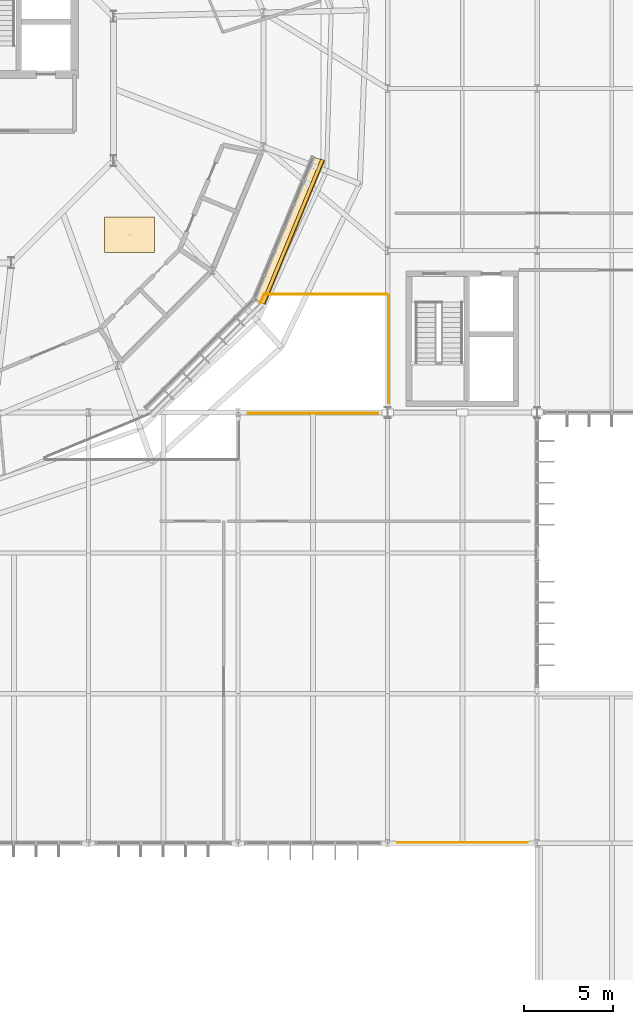
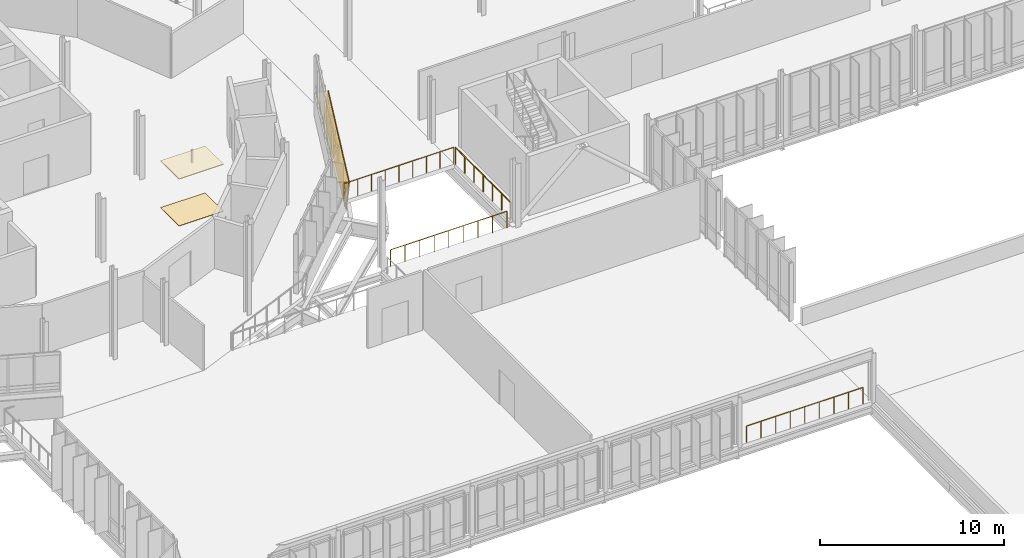
# One storey, part 98 of 107: 16 railings, 4 coverings.
"""IFC4 building model written with IfcOpenShell, lengths in metres."""

import ifcopenshell
import ifcopenshell.guid

model = None  # the IFC model being written
_history = None  # IfcOwnerHistory: only IFC2X3 demands one
_inside = {}  # id of a spatial element -> (the spatial element, [elements in it])
_under = {}  # id of a project, library or spatial element -> (it, [spatial elements below it])
_declared = {}  # id of a project -> (the project, [libraries it declares])
_typed = {}  # id of a type object -> (the type object, [elements of that type])
_made_of = {}  # id of a material, layer set ... -> (it, [elements and type objects made of it])


def new_model(schema):
    """Start an empty IFC model of exactly this schema.

    Asked for "IFC4X3", IfcOpenShell would pick the latest addendum, in which some entities
    have other attributes; the version numbers below select the first issue.
    IFC2X3 requires an IfcOwnerHistory on every rooted entity: one is made here for all.
    """
    global model, _history
    if schema == "IFC4X3":
        model = ifcopenshell.file(schema_version=(4, 3, 0, 0))
    else:
        model = ifcopenshell.file(schema=schema)
    _inside.clear()
    _under.clear()
    _declared.clear()
    _typed.clear()
    _made_of.clear()
    _history = None
    if model.schema == "IFC2X3":
        org = make("IfcOrganization", Name="unknown")
        user = make(
            "IfcPersonAndOrganization",
            ThePerson=make("IfcPerson", FamilyName="unknown"),
            TheOrganization=org,
        )
        app = make(
            "IfcApplication",
            ApplicationDeveloper=org,
            Version="unknown",
            ApplicationFullName="unknown",
            ApplicationIdentifier="unknown",
        )
        _history = make(
            "IfcOwnerHistory",
            OwningUser=user,
            OwningApplication=app,
            ChangeAction="ADDED",
            CreationDate=0,
        )
    return model


def make(cls, **values):
    """One entity of the class cls with the attributes given. An attribute that is None is left unset."""
    return model.create_entity(
        cls, **{name: value for name, value in values.items() if value is not None}
    )


def rooted(cls, **values):
    """An entity with a GlobalId (a new one), such as an element, a storey or a relation."""
    return make(cls, GlobalId=ifcopenshell.guid.new(), OwnerHistory=_history, **values)


def si_unit(unit_type, name, prefix=None):
    """IfcSIUnit, for example si_unit("LENGTHUNIT", "METRE", prefix="MILLI")."""
    return make("IfcSIUnit", UnitType=unit_type, Prefix=prefix, Name=name)


def derived_unit(unit_type, elements):
    """IfcDerivedUnit: a product of units, each with its exponent."""
    return make(
        "IfcDerivedUnit",
        Elements=[
            make("IfcDerivedUnitElement", Unit=unit, Exponent=power)
            for unit, power in elements
        ],
        UnitType=unit_type,
    )


def assignment(units):
    """IfcUnitAssignment: the units of a project."""
    return None if units is None else make("IfcUnitAssignment", Units=units)


def point(xyz):
    """IfcCartesianPoint."""
    return None if xyz is None else make("IfcCartesianPoint", Coordinates=xyz)


def direction(xyz):
    """IfcDirection."""
    return None if xyz is None else make("IfcDirection", DirectionRatios=xyz)


def frame(location, z_axis=None, x_axis=None):
    """IfcAxis2Placement3D, a coordinate frame: its origin and axes. An axis left out is left unset."""
    return make(
        "IfcAxis2Placement3D",
        Location=point(location),
        Axis=direction(z_axis),
        RefDirection=direction(x_axis),
    )


def frame_2d(location, x_axis=None):
    """IfcAxis2Placement2D, a coordinate frame in the plane: its origin and x axis."""
    return make(
        "IfcAxis2Placement2D", Location=point(location), RefDirection=direction(x_axis)
    )


def origin():
    """The frame at (0, 0, 0) with its axes left unset."""
    return frame((0.0, 0.0, 0.0))


def origin_2d():
    """The frame at (0, 0) in the plane with its x axis left unset."""
    return frame_2d((0.0, 0.0))


def place(relative_to, where):
    """IfcLocalPlacement: puts the frame where relative to a parent placement (None: the world)."""
    return make(
        "IfcLocalPlacement", PlacementRelTo=relative_to, RelativePlacement=where
    )


def context(
    kind, dimensions, precision=None, world=None, true_north=None, identifier=None
):
    """IfcGeometricRepresentationContext, for example the 3D "Model" context."""
    return make(
        "IfcGeometricRepresentationContext",
        ContextIdentifier=identifier,
        ContextType=kind,
        CoordinateSpaceDimension=dimensions,
        Precision=precision,
        WorldCoordinateSystem=world,
        TrueNorth=true_north,
    )


def subcontext(parent, identifier, kind, view, scale=None):
    """IfcGeometricRepresentationSubContext, for example "Body" below "Model"."""
    return make(
        "IfcGeometricRepresentationSubContext",
        ContextIdentifier=identifier,
        ContextType=kind,
        ParentContext=parent,
        TargetScale=scale,
        TargetView=view,
    )


def project(units=None, contexts=None):
    """IfcProject with its units and contexts."""
    return rooted(
        "IfcProject",
        Name="project",
        RepresentationContexts=contexts,
        UnitsInContext=assignment(units),
    )


def spatial(cls, under=None, at=None, **own):
    """A site, building, storey or space (cls), placed at a placement, below another one or the project."""
    s = rooted(cls, ObjectPlacement=at, **own)
    if under is not None:
        _under.setdefault(under.id(), (under, []))[1].append(s)
    return s


def polyline(points):
    """IfcPolyline through the points."""
    return make("IfcPolyline", Points=[point(p) for p in points])


def profile(cls, at=None, kind="AREA", **sizes):
    """A parametric profile (cls). Its sizes go by their IFC names, for example OverallWidth=200.0."""
    return make(cls, ProfileType=kind, Position=at, **sizes)


def circle(**sizes):
    """IfcCircleProfileDef."""
    return profile("IfcCircleProfileDef", **sizes)


def outline(outer, holes=None, kind="AREA"):
    """IfcArbitraryClosedProfileDef: a profile drawn as a closed curve; with holes, ...WithVoids."""
    if holes is None:
        return make("IfcArbitraryClosedProfileDef", ProfileType=kind, OuterCurve=outer)
    return make(
        "IfcArbitraryProfileDefWithVoids",
        ProfileType=kind,
        OuterCurve=outer,
        InnerCurves=holes,
    )


def extrude(swept, where, along, depth):
    """IfcExtrudedAreaSolid: the profile swept, set in the frame where, extruded along a direction by depth."""
    return make(
        "IfcExtrudedAreaSolid",
        SweptArea=swept,
        Position=where,
        ExtrudedDirection=direction(along),
        Depth=depth,
    )


def shape(context_of_items, identifier, shape_type, items):
    """IfcShapeRepresentation: the items that make up one representation, for example the "Body"."""
    return make(
        "IfcShapeRepresentation",
        ContextOfItems=context_of_items,
        RepresentationIdentifier=identifier,
        RepresentationType=shape_type,
        Items=items,
    )


def material(Name=None, Category=None):
    """IfcMaterial."""
    return make("IfcMaterial", Name=Name, Category=Category)


def layer(
    of_material, thickness, ventilated=None, Name=None, Category=None, Priority=None
):
    """IfcMaterialLayer: one layer of a wall or slab, of a material (None: an air gap)."""
    return make(
        "IfcMaterialLayer",
        Material=of_material,
        LayerThickness=thickness,
        IsVentilated=ventilated,
        Name=Name,
        Category=Category,
        Priority=Priority,
    )


def layer_set(layers, Name=None):
    """IfcMaterialLayerSet."""
    return make("IfcMaterialLayerSet", MaterialLayers=layers, LayerSetName=Name)


def made_of(thing, what):
    """Note that an element or type object is made of a material, layer set ...; save() writes the relation."""
    if what is not None:
        _made_of.setdefault(what.id(), (what, []))[1].append(thing)
    return thing


def type_object(cls, material=None, **own):
    """A type object (cls), such as IfcWallType, which elements share."""
    return made_of(rooted(cls, **own), material)


def element(
    cls,
    number,
    at=None,
    inside=None,
    cuts=None,
    type_object=None,
    material=None,
    context=None,
    identifier="Body",
    shape_type=None,
    held_by="IfcProductDefinitionShape",
    body=None,
    shapes=None,
    **own,
):
    """One element of the class cls, such as IfcWall. Its Tag is "e" and its number.

    at: its placement. inside: the storey or other place that contains it. cuts: it is an
    opening in that element (IfcRelVoidsElement). A single representation is given by context,
    identifier, shape_type and body (its items); several are given by shapes. held_by: the class
    of the entity that holds the representations. save() writes the other relations.
    """
    e = rooted(cls, Tag="e%d" % number, ObjectPlacement=at, **own)
    if body is not None:
        shapes = [shape(context, identifier, shape_type, body)]
    if shapes is not None:
        e.Representation = make(held_by, Representations=shapes)
    if inside is not None:
        _inside.setdefault(inside.id(), (inside, []))[1].append(e)
    if cuts is not None:
        rooted(
            "IfcRelVoidsElement", RelatingBuildingElement=cuts, RelatedOpeningElement=e
        )
    if type_object is not None:
        _typed.setdefault(type_object.id(), (type_object, []))[1].append(e)
    return made_of(e, material)


def aggregate(whole, parts):
    """IfcRelAggregates: a whole, such as a stair, and the parts it consists of."""
    return rooted("IfcRelAggregates", RelatingObject=whole, RelatedObjects=parts)


def save(model, path):
    """Write the relations noted so far, then the file.

    IfcRelAggregates (storeys below a building ...), IfcRelContainedInSpatialStructure (elements
    in a storey), IfcRelDefinesByType, IfcRelAssociatesMaterial and IfcRelDeclares: one each for
    every whole, place, type object, material and project.
    """
    for whole, parts in _under.values():
        aggregate(whole, parts)
    for where, things in _inside.values():
        rooted(
            "IfcRelContainedInSpatialStructure",
            RelatedElements=things,
            RelatingStructure=where,
        )
    for kind, things in _typed.values():
        rooted("IfcRelDefinesByType", RelatedObjects=things, RelatingType=kind)
    for what, things in _made_of.values():
        rooted("IfcRelAssociatesMaterial", RelatedObjects=things, RelatingMaterial=what)
    for by, libraries in _declared.values():
        rooted("IfcRelDeclares", RelatingContext=by, RelatedDefinitions=libraries)
    model.write(path)


model = new_model("IFC4")

# Units and contexts
model_context = context("Model", 3, precision=1e-05, world=origin(), true_north=direction((0.0, 1.0)))
body_context = subcontext(model_context, "Body", "Model", "MODEL_VIEW")
ifc_project = project(units=[si_unit("LENGTHUNIT", "METRE"), si_unit("AREAUNIT", "SQUARE_METRE"), si_unit("VOLUMEUNIT", "CUBIC_METRE"), si_unit("PLANEANGLEUNIT", "RADIAN"), si_unit("MASSUNIT", "GRAM", prefix="KILO"), derived_unit("THERMALTRANSMITTANCEUNIT", [(si_unit("MASSUNIT", "GRAM", prefix="KILO"), 1), (si_unit("TIMEUNIT", "SECOND"), -3), (si_unit("THERMODYNAMICTEMPERATUREUNIT", "KELVIN"), -1)])], contexts=[model_context])

# Site, building, storey
site_placement = place(None, origin())
site = spatial("IfcSite", under=ifc_project, at=site_placement, CompositionType="ELEMENT")
building_placement = place(site_placement, origin())
building = spatial("IfcBuilding", under=site, at=building_placement, Name="Makaiwela Harbour Ferry Terminal", CompositionType="ELEMENT")
storey_placement = place(building_placement, frame((0.0, 0.0, 9.60009765625)))
storey = spatial("IfcBuildingStorey", under=building, at=storey_placement, Name="L02", CompositionType="ELEMENT", Elevation=9.60009765625)

# Coverings
ifc_material_1 = material(Name="White glazed marine ceramic rainscreen tile", Category="masonry")
ifc_layer_1 = layer(ifc_material_1, 0.054931640625)
ifc_layer_set_1 = layer_set([ifc_layer_1], Name="White glazed marine ceramic rainscreen tile")
covering_type_1 = type_object("IfcCoveringType", Name="ENV-CLD-CERAMIC", PredefinedType="CLADDING", material=ifc_layer_set_1)
covering_1_placement = place(storey_placement, frame((55.896240234375, 55.56396484375, -0.239990234375), z_axis=(-0.918367954465, 0.380387945776, 0.109111460991), x_axis=(0.382672684916, 0.923883984177, 0.0)))
element("IfcCovering", 1, at=covering_1_placement, inside=storey, type_object=covering_type_1, Name="Ceramic Spandrel Facet CLD-0063", PredefinedType="CLADDING", context=body_context, shape_type="SweptSolid", body=[
    extrude(outline(polyline([(0.0, 0.0), (8.757662857778147, 0.0), (8.757613269269331, -1.770580981784045), (-4.958850881633947e-05, -1.7705809817840452), (0.0, 0.0)])), origin(), (0.0, 0.0, -1.0), 0.054931640625),
])
covering_2_placement = place(storey_placement, frame((0.0, 0.0, 1.47998046875)))
element("IfcCovering", 2, at=covering_2_placement, inside=storey, type_object=covering_type_1, Name="Ceramic Ring Sill Cap CLD-0064", PredefinedType="CLADDING", context=body_context, shape_type="SweptSolid", body=[
    extrude(outline(polyline([(56.07470703125, 55.489990234375), (59.426025390625, 63.5810546875), (58.81201171875, 63.751220703125), (55.52001953125, 55.803955078125), (56.07470703125, 55.489990234375)])), origin(), (0.0, 0.0, 1.0), 0.054931640625),
])
ifc_material_2 = material(Name="Thermally modified Accoya timber acoustic slat ceiling", Category="wood")
ifc_layer_2 = layer(ifc_material_2, 0.0400390625)
ifc_layer_set_2 = layer_set([ifc_layer_2], Name="Thermally modified Accoya timber acoustic slat ceiling")
covering_type_2 = type_object("IfcCoveringType", Name="INT-COV-CEIL", PredefinedType="CEILING", material=ifc_layer_set_2)
covering_3_placement = place(storey_placement, frame((0.0, 0.0, 3.099853515625)))
element("IfcCovering", 3, at=covering_3_placement, inside=storey, type_object=covering_type_2, Name="Acoustic Timber Ceiling CLG-048", PredefinedType="CEILING", context=body_context, shape_type="SweptSolid", body=[
    extrude(outline(polyline([(47.097900390625, 58.385498046875), (49.89794921875, 58.385498046875), (49.89794921875, 60.385498046875), (47.097900390625, 60.385498046875), (47.097900390625, 58.385498046875)])), origin(), (0.0, 0.0, 1.0), 0.0400390625),
])
ifc_material_3 = material(Name="Honed coral-aggregate epoxy terrazzo flooring", Category="concrete")
ifc_layer_3 = layer(ifc_material_3, 0.02490234375)
ifc_layer_set_3 = layer_set([ifc_layer_3], Name="Honed coral-aggregate epoxy terrazzo flooring")
covering_type_3 = type_object("IfcCoveringType", Name="INT-COV-FLR", PredefinedType="FLOORING", material=ifc_layer_set_3)
covering_4_placement = place(storey_placement, origin())
element("IfcCovering", 4, at=covering_4_placement, inside=storey, type_object=covering_type_3, Name="Terrazzo Flooring FLG-048", PredefinedType="FLOORING", context=body_context, shape_type="SweptSolid", body=[
    extrude(outline(polyline([(47.097900390625, 58.385498046875), (49.89794921875, 58.385498046875), (49.89794921875, 60.385498046875), (47.097900390625, 60.385498046875), (47.097900390625, 58.385498046875)])), origin(), (0.0, 0.0, 1.0), 0.02490234375),
])

# Railings
ifc_material_4 = material(Name="Marine grade 316L brushed stainless steel", Category="steel")
railing_type = type_object("IfcRailingType", Name="INT-RL-GRD110", PredefinedType="GUARDRAIL", material=ifc_material_4)
for number, where, name in (
    (5, (70.852294921875, 25.2451171875, 0.0), "Deck edge guardrail RL-0561"),
    (6, (69.026123046875, 25.2451171875, 0.0), "Deck edge guardrail RL-0562"),
    (7, (67.199951171875, 25.2451171875, 0.0), "Deck edge guardrail RL-0563"),
):
    element("IfcRailing", number, at=place(storey_placement, frame(where)), inside=storey, type_object=railing_type, Name=name, PredefinedType="GUARDRAIL", context=body_context, shape_type="SweptSolid", body=[
        extrude(circle(Radius=0.02392578125, at=origin_2d()), frame((0.0, 0.0, 1.09619140625), z_axis=(-1.0, 0.0, 0.0), x_axis=(0.0, -1.0, 0.0)), (0.0, 0.0, 1.0), 1.826171875),
        extrude(circle(Radius=0.02099609375, at=origin_2d()), origin(), (0.0, 0.0, 1.0), 1.072021484375),
        extrude(circle(Radius=0.02099609375, at=origin_2d()), frame((-0.9130859375, 0.0, 0.0)), (0.0, 0.0, 1.0), 1.072021484375),
        extrude(circle(Radius=0.02099609375, at=origin_2d()), frame((-1.826171875, 0.0, 0.0)), (0.0, 0.0, 1.0), 1.072021484375),
    ])
railing_1_placement = place(storey_placement, frame((65.373779296875, 25.2451171875, 0.0)))
element("IfcRailing", 8, at=railing_1_placement, inside=storey, type_object=railing_type, Name="Deck edge guardrail RL-0564", PredefinedType="GUARDRAIL", context=body_context, shape_type="SweptSolid", body=[
    extrude(circle(Radius=0.02392578125, at=origin_2d()), frame((0.0, 0.0, 1.09619140625), z_axis=(-1.0, 0.0, 0.0), x_axis=(0.0, -1.0, 0.0)), (0.0, 0.0, 1.0), 1.825927734375),
    extrude(circle(Radius=0.02099609375, at=origin_2d()), origin(), (0.0, 0.0, 1.0), 1.072021484375),
    extrude(circle(Radius=0.02099609375, at=origin_2d()), frame((-0.9130859375, 0.0, 0.0)), (0.0, 0.0, 1.0), 1.072021484375),
    extrude(circle(Radius=0.02099609375, at=origin_2d()), frame((-1.825927734375, 0.0, 0.0)), (0.0, 0.0, 1.0), 1.072021484375),
])
for number, where, name in (
    (9, (55.147705078125, 49.35498046875, 0.0), "Deck edge guardrail RL-0600"),
    (10, (56.973876953125, 49.35498046875, 0.0), "Deck edge guardrail RL-0601"),
    (11, (58.800048828125, 49.35498046875, 0.0), "Deck edge guardrail RL-0602"),
):
    element("IfcRailing", number, at=place(storey_placement, frame(where)), inside=storey, type_object=railing_type, Name=name, PredefinedType="GUARDRAIL", context=body_context, shape_type="SweptSolid", body=[
        extrude(circle(Radius=0.02392578125, at=origin_2d()), frame((0.0, 0.0, 1.09619140625), z_axis=(1.0, 0.0, 0.0), x_axis=(0.0, 1.0, 0.0)), (0.0, 0.0, 1.0), 1.826171875),
        extrude(circle(Radius=0.02099609375, at=origin_2d()), origin(), (0.0, 0.0, 1.0), 1.072021484375),
        extrude(circle(Radius=0.02099609375, at=origin_2d()), frame((0.9130859375, 0.0, 0.0)), (0.0, 0.0, 1.0), 1.072021484375),
        extrude(circle(Radius=0.02099609375, at=origin_2d()), frame((1.826171875, 0.0, 0.0)), (0.0, 0.0, 1.0), 1.072021484375),
    ])
railing_2_placement = place(storey_placement, frame((60.626220703125, 49.35498046875, 0.0)))
element("IfcRailing", 12, at=railing_2_placement, inside=storey, type_object=railing_type, Name="Deck edge guardrail RL-0603", PredefinedType="GUARDRAIL", context=body_context, shape_type="SweptSolid", body=[
    extrude(circle(Radius=0.02392578125, at=origin_2d()), frame((0.0, 0.0, 1.09619140625), z_axis=(1.0, 0.0, 0.0), x_axis=(0.0, 1.0, 0.0)), (0.0, 0.0, 1.0), 1.825927734375),
    extrude(circle(Radius=0.02099609375, at=origin_2d()), origin(), (0.0, 0.0, 1.0), 1.072021484375),
    extrude(circle(Radius=0.02099609375, at=origin_2d()), frame((0.9130859375, 0.0, 0.0)), (0.0, 0.0, 1.0), 1.072021484375),
    extrude(circle(Radius=0.02099609375, at=origin_2d()), frame((1.825927734375, 0.0, 0.0)), (0.0, 0.0, 1.0), 1.072021484375),
])
for number, where, name in (
    (13, (63.044921875, 49.94775390625, 0.0), "Deck edge guardrail RL-0604"),
    (14, (63.044921875, 51.95849609375, 0.0), "Deck edge guardrail RL-0605"),
    (15, (63.044921875, 53.96923828125, 0.0), "Deck edge guardrail RL-0606"),
):
    element("IfcRailing", number, at=place(storey_placement, frame(where)), inside=storey, type_object=railing_type, Name=name, PredefinedType="GUARDRAIL", context=body_context, shape_type="SweptSolid", body=[
        extrude(circle(Radius=0.02392578125, at=origin_2d()), frame((0.0, 0.0, 1.09619140625), z_axis=(0.0, 1.0, 0.0), x_axis=(-1.0, 0.0, 0.0)), (0.0, 0.0, 1.0), 2.0107421875),
        extrude(circle(Radius=0.02099609375, at=origin_2d()), origin(), (0.0, 0.0, 1.0), 1.072021484375),
        extrude(circle(Radius=0.02099609375, at=origin_2d()), frame((0.0, 1.00537109375, 0.0)), (0.0, 0.0, 1.0), 1.072021484375),
        extrude(circle(Radius=0.02099609375, at=origin_2d()), frame((0.0, 2.0107421875, 0.0)), (0.0, 0.0, 1.0), 1.072021484375),
    ])
for number, where, name in (
    (16, (62.97998046875, 56.044921875, 0.0), "Deck edge guardrail RL-0607"),
    (17, (61.257568359375, 56.044921875, 0.0), "Deck edge guardrail RL-0608"),
):
    element("IfcRailing", number, at=place(storey_placement, frame(where)), inside=storey, type_object=railing_type, Name=name, PredefinedType="GUARDRAIL", context=body_context, shape_type="SweptSolid", body=[
        extrude(circle(Radius=0.02392578125, at=origin_2d()), frame((0.0, 0.0, 1.09619140625), z_axis=(-1.0, 0.0, 0.0), x_axis=(0.0, -1.0, 0.0)), (0.0, 0.0, 1.0), 1.722412109375),
        extrude(circle(Radius=0.02099609375, at=origin_2d()), origin(), (0.0, 0.0, 1.0), 1.072021484375),
        extrude(circle(Radius=0.02099609375, at=origin_2d()), frame((-0.861328125, 0.0, 0.0)), (0.0, 0.0, 1.0), 1.072021484375),
        extrude(circle(Radius=0.02099609375, at=origin_2d()), frame((-1.722412109375, 0.0, 0.0)), (0.0, 0.0, 1.0), 1.072021484375),
    ])
railing_3_placement = place(storey_placement, frame((59.53515625, 56.044921875, 0.0)))
element("IfcRailing", 18, at=railing_3_placement, inside=storey, type_object=railing_type, Name="Deck edge guardrail RL-0609", PredefinedType="GUARDRAIL", context=body_context, shape_type="SweptSolid", body=[
    extrude(circle(Radius=0.02392578125, at=origin_2d()), frame((0.0, 0.0, 1.09619140625), z_axis=(-1.0, 0.0, 0.0), x_axis=(0.0, -1.0, 0.0)), (0.0, 0.0, 1.0), 1.72265625),
    extrude(circle(Radius=0.02099609375, at=origin_2d()), origin(), (0.0, 0.0, 1.0), 1.072021484375),
    extrude(circle(Radius=0.02099609375, at=origin_2d()), frame((-0.861328125, 0.0, 0.0)), (0.0, 0.0, 1.0), 1.072021484375),
    extrude(circle(Radius=0.02099609375, at=origin_2d()), frame((-1.72265625, 0.0, 0.0)), (0.0, 0.0, 1.0), 1.072021484375),
])
railing_4_placement = place(storey_placement, frame((57.8125, 56.044921875, 0.0)))
element("IfcRailing", 19, at=railing_4_placement, inside=storey, type_object=railing_type, Name="Deck edge guardrail RL-0610", PredefinedType="GUARDRAIL", context=body_context, shape_type="SweptSolid", body=[
    extrude(circle(Radius=0.02392578125, at=origin_2d()), frame((0.0, 0.0, 1.09619140625), z_axis=(-1.0, 0.0, 0.0), x_axis=(0.0, -1.0, 0.0)), (0.0, 0.0, 1.0), 1.722412109375),
    extrude(circle(Radius=0.02099609375, at=origin_2d()), origin(), (0.0, 0.0, 1.0), 1.072021484375),
    extrude(circle(Radius=0.02099609375, at=origin_2d()), frame((-0.861328125, 0.0, 0.0)), (0.0, 0.0, 1.0), 1.072021484375),
    extrude(circle(Radius=0.02099609375, at=origin_2d()), frame((-1.722412109375, 0.0, 0.0)), (0.0, 0.0, 1.0), 1.072021484375),
])
railing_5_placement = place(storey_placement, frame((56.0341796875, 56.0087890625, 0.0)))
element("IfcRailing", 20, at=railing_5_placement, inside=storey, type_object=railing_type, Name="Deck edge guardrail RL-0611", PredefinedType="GUARDRAIL", context=body_context, shape_type="SweptSolid", body=[
    extrude(circle(Radius=0.02392578125, at=origin_2d()), frame((0.0, 0.0, 1.09619140625), z_axis=(-0.382932859653, -0.923776176895, 0.0), x_axis=(0.923776176895, -0.382932859653, 0.0)), (0.0, 0.0, 1.0), 0.49462890625),
    extrude(circle(Radius=0.02099609375, at=origin_2d()), origin(), (0.0, 0.0, 1.0), 1.072021484375),
    extrude(circle(Radius=0.02099609375, at=origin_2d()), frame((-0.189453125, -0.45703125, 0.0)), (0.0, 0.0, 1.0), 1.072021484375),
])

save(model, "model.ifc")
